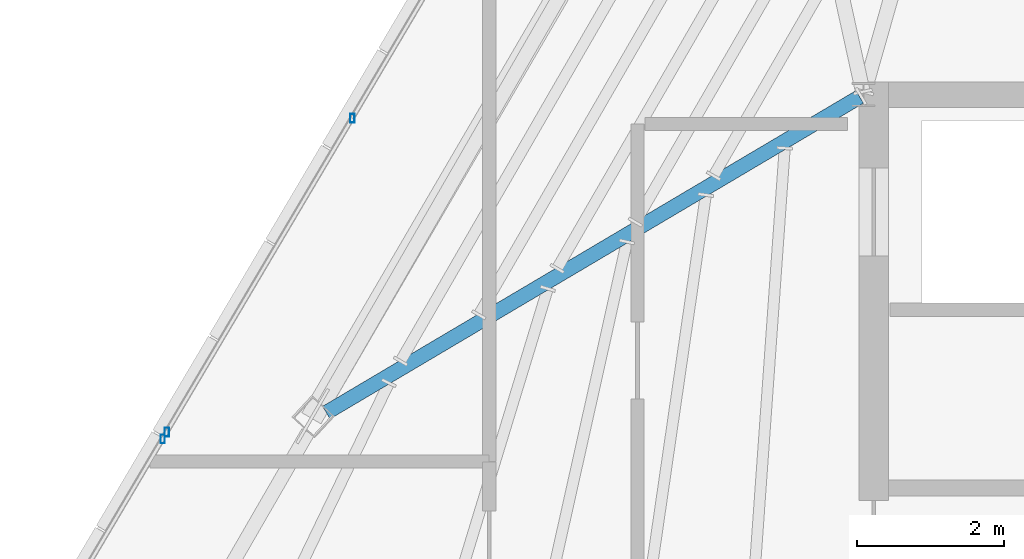
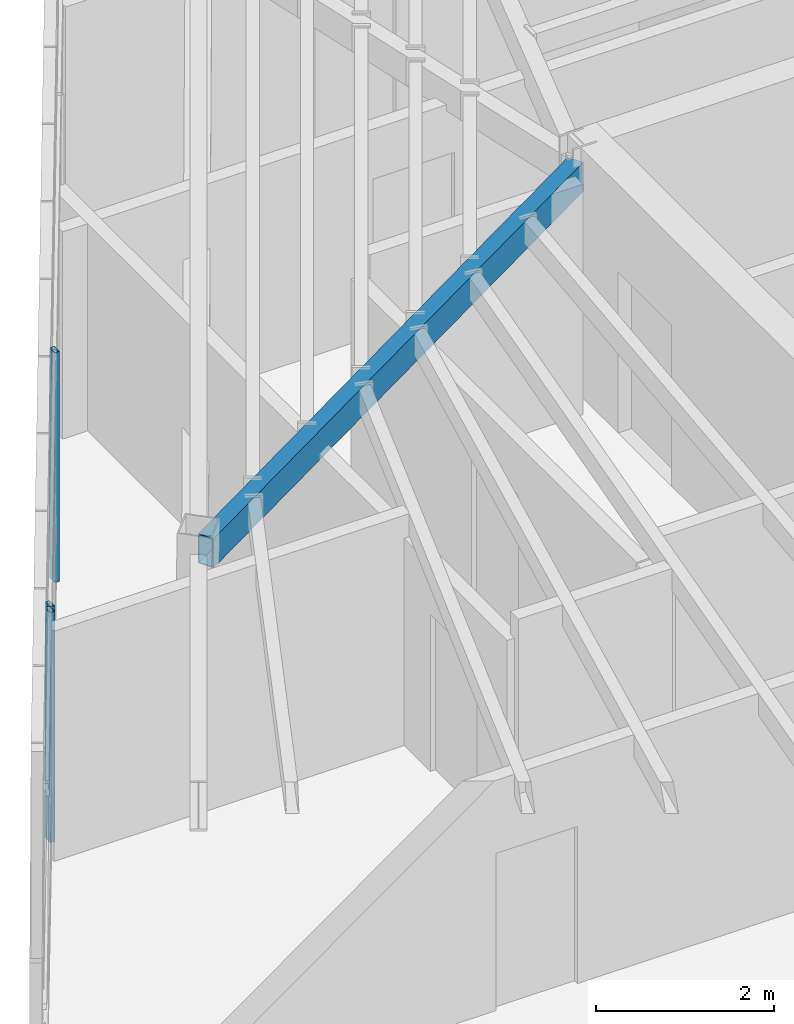
# One storey, part 17 of 48: 3 members, 1 beam, 2 elements without a shape of their own.
"""IFC4 building model written with IfcOpenShell, lengths in metres."""

from ifc_helpers import new_model, si_unit, direction, frame, origin, origin_2d, place, context, subcontext, project, spatial, hollow_rectangle, extrude, source, transform, mapped, material, material_profile, profile_set, type_object, type_shapes, element, aggregate, save


model = new_model("IFC4")

# Units and contexts
model_context = context("Model", 3, precision=1e-05, world=origin(), true_north=direction((0.0, 1.0)))
body_context = subcontext(model_context, "Body", "Model", "MODEL_VIEW")
ifc_project = project(units=[si_unit("LENGTHUNIT", "METRE"), si_unit("AREAUNIT", "SQUARE_METRE"), si_unit("VOLUMEUNIT", "CUBIC_METRE"), si_unit("PLANEANGLEUNIT", "RADIAN"), si_unit("MASSUNIT", "GRAM", prefix="KILO")], contexts=[model_context])

# Site, building, storey
site_placement = place(None, origin())
site = spatial("IfcSite", under=ifc_project, at=site_placement, CompositionType="ELEMENT")
building_placement = place(site_placement, origin())
building = spatial("IfcBuilding", under=site, at=building_placement, Name="Caelisora Broadcast Tower", CompositionType="ELEMENT")
storey_placement = place(building_placement, frame((0.0, 0.0, 300.0)))
storey = spatial("IfcBuildingStorey", under=building, at=storey_placement, Name="L79", CompositionType="ELEMENT", Elevation=300.0)

# Beam
ifc_material_1 = material(Name="Steel Grade 350 (AS/NZS 1163 C350L0)", Category="steel")
ifc_material_profile_1 = material_profile(ifc_material_1, hollow_rectangle(XDim=0.199951171875, YDim=0.39990234375, WallThickness=0.012451171875, at=origin_2d()), Name="Steel Grade 350 (AS/NZS 1163 C350L0)")
ifc_profile_set_1 = profile_set([ifc_material_profile_1], Name="Steel Grade 350 (AS/NZS 1163 C350L0)")
beam_type = type_object("IfcBeamType", Name="PG07", PredefinedType="BEAM", material=ifc_profile_set_1)
shared_shape_1 = source(origin(), body_context, "Body", "SweptSolid", [
    extrude(hollow_rectangle(XDim=0.199951171875, YDim=0.39990234375, WallThickness=0.012451171875, at=origin_2d()), origin(), (0.0, 0.0, 1.0), 8.446044921875),
])
type_shapes(beam_type, [shared_shape_1])
beam_placement = place(storey_placement, frame((30.448486328125, 29.969482421875, 2.949951171875), z_axis=(-0.860525741182, -0.509406957906, 0.0), x_axis=(0.509406957906, -0.860525741182, 0.0)))
element("IfcBeam", 1, at=beam_placement, inside=storey, type_object=beam_type, Name="L79 beam PG07", PredefinedType="BEAM", context=body_context, shape_type="MappedRepresentation", body=[
    mapped(shared_shape_1, transform((0.0, 0.0, 0.0), scale=1.0)),
])

# Curtain wall, member
ifc_material_2 = material(Name="Unitised Aluminium Insulated Shadow-Box Spandrel Curtain Wall", Category="aluminium")
curtain_wall_type = type_object("IfcCurtainWallType", Name="CW-SP3", PredefinedType="NOTDEFINED", material=ifc_material_2)
curtain_wall_1_placement = place(storey_placement, origin())
curtain_wall_1 = element("IfcCurtainWall", 2, at=curtain_wall_1_placement, inside=storey, type_object=curtain_wall_type, Name="L79 curtain wall CW-SP3", PredefinedType="NOTDEFINED")
ifc_material_3 = material(Name="Aluminium 6063-T6 Anodised Terracotta Bronze", Category="aluminium")
ifc_material_profile_2 = material_profile(ifc_material_3, hollow_rectangle(XDim=0.06005859375, YDim=0.1201171875, WallThickness=0.0029296875, at=origin_2d()), Name="Aluminium 6063-T6 Anodised Terracotta Bronze")
ifc_profile_set_2 = profile_set([ifc_material_profile_2], Name="Aluminium 6063-T6 Anodised Terracotta Bronze")
member_type = type_object("IfcMemberType", Name="CWM-04", PredefinedType="MULLION", material=ifc_profile_set_2)
shared_shape_2 = source(origin(), body_context, "Body", "SweptSolid", [
    extrude(hollow_rectangle(XDim=0.06005859375, YDim=0.1201171875, WallThickness=0.0029296875, at=origin_2d()), origin(), (0.0, 0.0, 1.0), 3.14990234375),
])
type_shapes(member_type, [shared_shape_2])
member_1_placement = place(storey_placement, frame((20.952392578125, 25.306884765625, 0.0), z_axis=(0.0, 0.0, 1.0), x_axis=(1.0, 0.0, 0.0)))
member_1 = element("IfcMember", 3, at=member_1_placement, type_object=member_type, Name="L79-CW-B09 mullion #3", PredefinedType="MULLION", context=body_context, shape_type="MappedRepresentation", body=[
    mapped(shared_shape_2, transform((0.0, 0.0, 0.0), scale=1.0)),
])
aggregate(curtain_wall_1, [member_1])

# Curtain wall, members
curtain_wall_2_placement = place(storey_placement, origin())
curtain_wall_2 = element("IfcCurtainWall", 4, at=curtain_wall_2_placement, inside=storey, type_object=curtain_wall_type, Name="L79 curtain wall CW-SP3", PredefinedType="NOTDEFINED")
member_2_placement = place(storey_placement, frame((21.00830078125, 25.401611328125, 0.0), z_axis=(0.0, 0.0, 1.0), x_axis=(1.0, 0.0, 0.0)))
member_2 = element("IfcMember", 5, at=member_2_placement, type_object=member_type, Name="L79-CW-B10 mullion #0", PredefinedType="MULLION", context=body_context, shape_type="MappedRepresentation", body=[
    mapped(shared_shape_2, transform((0.0, 0.0, 0.0), scale=1.0)),
])
member_3_placement = place(storey_placement, frame((23.536376953125, 29.678466796875, 0.0), z_axis=(0.0, 0.0, 1.0), x_axis=(1.0, 0.0, 0.0)))
member_3 = element("IfcMember", 6, at=member_3_placement, type_object=member_type, Name="L79-CW-B10 mullion #1", PredefinedType="MULLION", context=body_context, shape_type="MappedRepresentation", body=[
    mapped(shared_shape_2, transform((0.0, 0.0, 0.0), scale=1.0)),
])
aggregate(curtain_wall_2, [member_2, member_3])

save(model, "model.ifc")
